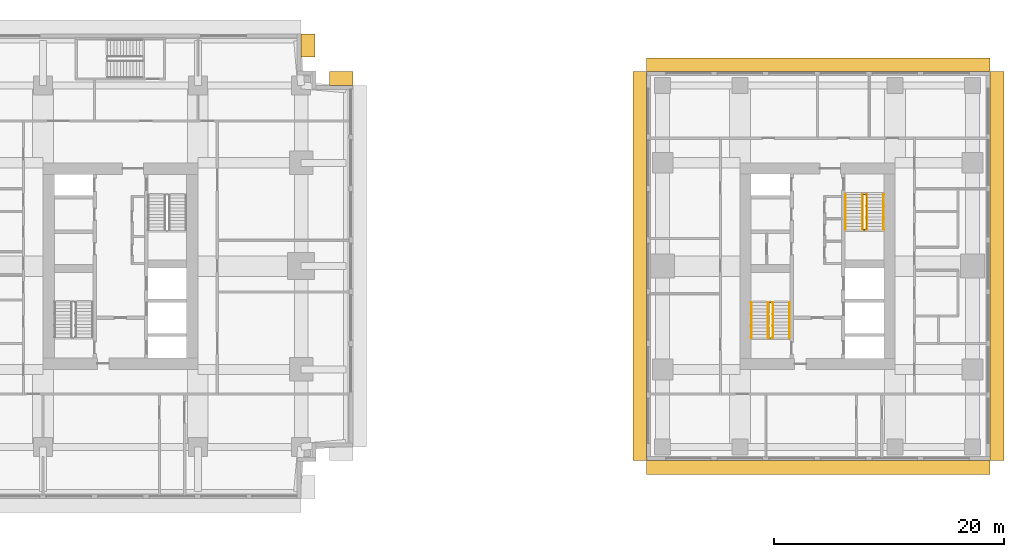
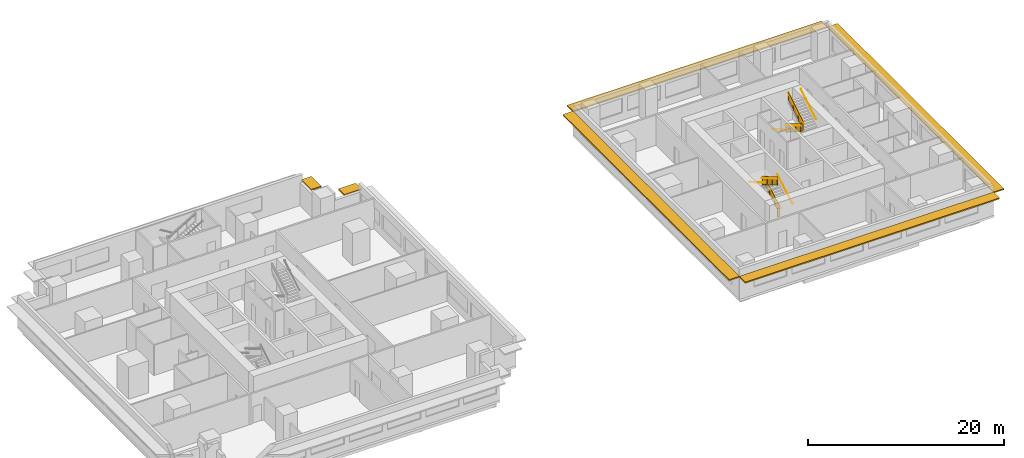
# One storey, part 11 of 11: 10 railings, 6 shading devices.
"""IFC4 building model written with IfcOpenShell, lengths in metres."""

import ifcopenshell
import ifcopenshell.guid

model = None  # the IFC model being written
_history = None  # IfcOwnerHistory: only IFC2X3 demands one
_inside = {}  # id of a spatial element -> (the spatial element, [elements in it])
_under = {}  # id of a project, library or spatial element -> (it, [spatial elements below it])
_declared = {}  # id of a project -> (the project, [libraries it declares])
_typed = {}  # id of a type object -> (the type object, [elements of that type])
_made_of = {}  # id of a material, layer set ... -> (it, [elements and type objects made of it])


def new_model(schema):
    """Start an empty IFC model of exactly this schema.

    Asked for "IFC4X3", IfcOpenShell would pick the latest addendum, in which some entities
    have other attributes; the version numbers below select the first issue.
    IFC2X3 requires an IfcOwnerHistory on every rooted entity: one is made here for all.
    """
    global model, _history
    if schema == "IFC4X3":
        model = ifcopenshell.file(schema_version=(4, 3, 0, 0))
    else:
        model = ifcopenshell.file(schema=schema)
    _inside.clear()
    _under.clear()
    _declared.clear()
    _typed.clear()
    _made_of.clear()
    _history = None
    if model.schema == "IFC2X3":
        org = make("IfcOrganization", Name="unknown")
        user = make(
            "IfcPersonAndOrganization",
            ThePerson=make("IfcPerson", FamilyName="unknown"),
            TheOrganization=org,
        )
        app = make(
            "IfcApplication",
            ApplicationDeveloper=org,
            Version="unknown",
            ApplicationFullName="unknown",
            ApplicationIdentifier="unknown",
        )
        _history = make(
            "IfcOwnerHistory",
            OwningUser=user,
            OwningApplication=app,
            ChangeAction="ADDED",
            CreationDate=0,
        )
    return model


def make(cls, **values):
    """One entity of the class cls with the attributes given. An attribute that is None is left unset."""
    return model.create_entity(
        cls, **{name: value for name, value in values.items() if value is not None}
    )


def rooted(cls, **values):
    """An entity with a GlobalId (a new one), such as an element, a storey or a relation."""
    return make(cls, GlobalId=ifcopenshell.guid.new(), OwnerHistory=_history, **values)


def si_unit(unit_type, name, prefix=None):
    """IfcSIUnit, for example si_unit("LENGTHUNIT", "METRE", prefix="MILLI")."""
    return make("IfcSIUnit", UnitType=unit_type, Prefix=prefix, Name=name)


def assignment(units):
    """IfcUnitAssignment: the units of a project."""
    return None if units is None else make("IfcUnitAssignment", Units=units)


def point(xyz):
    """IfcCartesianPoint."""
    return None if xyz is None else make("IfcCartesianPoint", Coordinates=xyz)


def direction(xyz):
    """IfcDirection."""
    return None if xyz is None else make("IfcDirection", DirectionRatios=xyz)


def frame(location, z_axis=None, x_axis=None):
    """IfcAxis2Placement3D, a coordinate frame: its origin and axes. An axis left out is left unset."""
    return make(
        "IfcAxis2Placement3D",
        Location=point(location),
        Axis=direction(z_axis),
        RefDirection=direction(x_axis),
    )


def frame_2d(location, x_axis=None):
    """IfcAxis2Placement2D, a coordinate frame in the plane: its origin and x axis."""
    return make(
        "IfcAxis2Placement2D", Location=point(location), RefDirection=direction(x_axis)
    )


def origin():
    """The frame at (0, 0, 0) with its axes left unset."""
    return frame((0.0, 0.0, 0.0))


def origin_2d():
    """The frame at (0, 0) in the plane with its x axis left unset."""
    return frame_2d((0.0, 0.0))


def place(relative_to, where):
    """IfcLocalPlacement: puts the frame where relative to a parent placement (None: the world)."""
    return make(
        "IfcLocalPlacement", PlacementRelTo=relative_to, RelativePlacement=where
    )


def context(
    kind, dimensions, precision=None, world=None, true_north=None, identifier=None
):
    """IfcGeometricRepresentationContext, for example the 3D "Model" context."""
    return make(
        "IfcGeometricRepresentationContext",
        ContextIdentifier=identifier,
        ContextType=kind,
        CoordinateSpaceDimension=dimensions,
        Precision=precision,
        WorldCoordinateSystem=world,
        TrueNorth=true_north,
    )


def subcontext(parent, identifier, kind, view, scale=None):
    """IfcGeometricRepresentationSubContext, for example "Body" below "Model"."""
    return make(
        "IfcGeometricRepresentationSubContext",
        ContextIdentifier=identifier,
        ContextType=kind,
        ParentContext=parent,
        TargetScale=scale,
        TargetView=view,
    )


def project(units=None, contexts=None):
    """IfcProject with its units and contexts."""
    return rooted(
        "IfcProject",
        Name="project",
        RepresentationContexts=contexts,
        UnitsInContext=assignment(units),
    )


def spatial(cls, under=None, at=None, **own):
    """A site, building, storey or space (cls), placed at a placement, below another one or the project."""
    s = rooted(cls, ObjectPlacement=at, **own)
    if under is not None:
        _under.setdefault(under.id(), (under, []))[1].append(s)
    return s


def polyline(points):
    """IfcPolyline through the points."""
    return make("IfcPolyline", Points=[point(p) for p in points])


def profile(cls, at=None, kind="AREA", **sizes):
    """A parametric profile (cls). Its sizes go by their IFC names, for example OverallWidth=200.0."""
    return make(cls, ProfileType=kind, Position=at, **sizes)


def rectangle(**sizes):
    """IfcRectangleProfileDef."""
    return profile("IfcRectangleProfileDef", **sizes)


def circle(**sizes):
    """IfcCircleProfileDef."""
    return profile("IfcCircleProfileDef", **sizes)


def outline(outer, holes=None, kind="AREA"):
    """IfcArbitraryClosedProfileDef: a profile drawn as a closed curve; with holes, ...WithVoids."""
    if holes is None:
        return make("IfcArbitraryClosedProfileDef", ProfileType=kind, OuterCurve=outer)
    return make(
        "IfcArbitraryProfileDefWithVoids",
        ProfileType=kind,
        OuterCurve=outer,
        InnerCurves=holes,
    )


def extrude(swept, where, along, depth):
    """IfcExtrudedAreaSolid: the profile swept, set in the frame where, extruded along a direction by depth."""
    return make(
        "IfcExtrudedAreaSolid",
        SweptArea=swept,
        Position=where,
        ExtrudedDirection=direction(along),
        Depth=depth,
    )


def shape(context_of_items, identifier, shape_type, items):
    """IfcShapeRepresentation: the items that make up one representation, for example the "Body"."""
    return make(
        "IfcShapeRepresentation",
        ContextOfItems=context_of_items,
        RepresentationIdentifier=identifier,
        RepresentationType=shape_type,
        Items=items,
    )


def material(Name=None, Category=None):
    """IfcMaterial."""
    return make("IfcMaterial", Name=Name, Category=Category)


def layer(
    of_material, thickness, ventilated=None, Name=None, Category=None, Priority=None
):
    """IfcMaterialLayer: one layer of a wall or slab, of a material (None: an air gap)."""
    return make(
        "IfcMaterialLayer",
        Material=of_material,
        LayerThickness=thickness,
        IsVentilated=ventilated,
        Name=Name,
        Category=Category,
        Priority=Priority,
    )


def layer_set(layers, Name=None):
    """IfcMaterialLayerSet."""
    return make("IfcMaterialLayerSet", MaterialLayers=layers, LayerSetName=Name)


def made_of(thing, what):
    """Note that an element or type object is made of a material, layer set ...; save() writes the relation."""
    if what is not None:
        _made_of.setdefault(what.id(), (what, []))[1].append(thing)
    return thing


def type_object(cls, material=None, **own):
    """A type object (cls), such as IfcWallType, which elements share."""
    return made_of(rooted(cls, **own), material)


def element(
    cls,
    number,
    at=None,
    inside=None,
    cuts=None,
    type_object=None,
    material=None,
    context=None,
    identifier="Body",
    shape_type=None,
    held_by="IfcProductDefinitionShape",
    body=None,
    shapes=None,
    **own,
):
    """One element of the class cls, such as IfcWall. Its Tag is "e" and its number.

    at: its placement. inside: the storey or other place that contains it. cuts: it is an
    opening in that element (IfcRelVoidsElement). A single representation is given by context,
    identifier, shape_type and body (its items); several are given by shapes. held_by: the class
    of the entity that holds the representations. save() writes the other relations.
    """
    e = rooted(cls, Tag="e%d" % number, ObjectPlacement=at, **own)
    if body is not None:
        shapes = [shape(context, identifier, shape_type, body)]
    if shapes is not None:
        e.Representation = make(held_by, Representations=shapes)
    if inside is not None:
        _inside.setdefault(inside.id(), (inside, []))[1].append(e)
    if cuts is not None:
        rooted(
            "IfcRelVoidsElement", RelatingBuildingElement=cuts, RelatedOpeningElement=e
        )
    if type_object is not None:
        _typed.setdefault(type_object.id(), (type_object, []))[1].append(e)
    return made_of(e, material)


def aggregate(whole, parts):
    """IfcRelAggregates: a whole, such as a stair, and the parts it consists of."""
    return rooted("IfcRelAggregates", RelatingObject=whole, RelatedObjects=parts)


def save(model, path):
    """Write the relations noted so far, then the file.

    IfcRelAggregates (storeys below a building ...), IfcRelContainedInSpatialStructure (elements
    in a storey), IfcRelDefinesByType, IfcRelAssociatesMaterial and IfcRelDeclares: one each for
    every whole, place, type object, material and project.
    """
    for whole, parts in _under.values():
        aggregate(whole, parts)
    for where, things in _inside.values():
        rooted(
            "IfcRelContainedInSpatialStructure",
            RelatedElements=things,
            RelatingStructure=where,
        )
    for kind, things in _typed.values():
        rooted("IfcRelDefinesByType", RelatedObjects=things, RelatingType=kind)
    for what, things in _made_of.values():
        rooted("IfcRelAssociatesMaterial", RelatedObjects=things, RelatingMaterial=what)
    for by, libraries in _declared.values():
        rooted("IfcRelDeclares", RelatingContext=by, RelatedDefinitions=libraries)
    model.write(path)


model = new_model("IFC4")

# Units and contexts
model_context = context("Model", 3, precision=1e-05, world=origin(), true_north=direction((0.0, 1.0)))
body_context = subcontext(model_context, "Body", "Model", "MODEL_VIEW")
ifc_project = project(units=[si_unit("LENGTHUNIT", "METRE"), si_unit("AREAUNIT", "SQUARE_METRE"), si_unit("VOLUMEUNIT", "CUBIC_METRE"), si_unit("PLANEANGLEUNIT", "RADIAN"), si_unit("MASSUNIT", "GRAM", prefix="KILO")], contexts=[model_context])

# Site, building, storey
site_placement = place(None, origin())
site = spatial("IfcSite", under=ifc_project, at=site_placement, CompositionType="ELEMENT")
building_placement = place(site_placement, origin())
building = spatial("IfcBuilding", under=site, at=building_placement, Name="Namib Vertical Campus", CompositionType="ELEMENT")
storey_placement = place(building_placement, frame((0.0, 0.0, 201.0)))
storey = spatial("IfcBuildingStorey", under=building, at=storey_placement, Name="L47", CompositionType="ELEMENT", Elevation=201.0)

# Railings
ifc_material_1 = material(Name="Steel handrail", Category="steel")
railing_type_1 = type_object("IfcRailingType", Name="Handrail 900", PredefinedType="HANDRAIL", material=ifc_material_1)
railing_1_placement = place(storey_placement, frame((78.550048828125, 14.0, 0.166748046875)))
element("IfcRailing", 1, at=railing_1_placement, inside=storey, type_object=railing_type_1, Name="Handrail HR1 B-S1 L47 1", PredefinedType="HANDRAIL", context=body_context, shape_type="SweptSolid", body=[
    extrude(circle(Radius=0.02392578125, at=origin_2d()), frame((0.0, 0.0, 0.8759765625), z_axis=(0.0, 0.859308565015, 0.511457515432), x_axis=(-1.0, 0.0, 0.0)), (0.0, 0.0, 1.0), 3.58447265625),
    extrude(circle(Radius=0.008056640625, at=origin_2d()), frame((0.0, 0.0, 0.8759765625), z_axis=(1.0, 0.0, 0.0), x_axis=(0.0, 0.0, 1.0)), (0.0, 0.0, 1.0), 0.050048828125),
    extrude(circle(Radius=0.008056640625, at=origin_2d()), frame((0.0, 1.026611328125, 1.48681640625), z_axis=(1.0, 0.0, 0.0), x_axis=(0.0, 0.0, 1.0)), (0.0, 0.0, 1.0), 0.050048828125),
    extrude(circle(Radius=0.008056640625, at=origin_2d()), frame((0.0, 2.053466796875, 2.09814453125), z_axis=(1.0, 0.0, 0.0), x_axis=(0.0, 0.0, 1.0)), (0.0, 0.0, 1.0), 0.050048828125),
    extrude(circle(Radius=0.008056640625, at=origin_2d()), frame((0.0, 3.080078125, 2.708984375), z_axis=(1.0, 0.0, 0.0), x_axis=(0.0, 0.0, 1.0)), (0.0, 0.0, 1.0), 0.050048828125),
])
railing_2_placement = place(storey_placement, frame((75.25, 17.080078125, 2.166748046875)))
element("IfcRailing", 2, at=railing_2_placement, inside=storey, type_object=railing_type_1, Name="Handrail HR1 B-S1 L47 2", PredefinedType="HANDRAIL", context=body_context, shape_type="SweptSolid", body=[
    extrude(circle(Radius=0.02392578125, at=origin_2d()), frame((0.0, 0.0, 0.8759765625), z_axis=(0.0, -0.859308565015, 0.511457515432), x_axis=(1.0, 0.0, 0.0)), (0.0, 0.0, 1.0), 3.58447265625),
    extrude(circle(Radius=0.008056640625, at=origin_2d()), frame((0.0, 0.0, 0.8759765625), z_axis=(-1.0, 0.0, 0.0), x_axis=(0.0, 0.0, 1.0)), (0.0, 0.0, 1.0), 0.050048828125),
    extrude(circle(Radius=0.008056640625, at=origin_2d()), frame((0.0, -1.026611328125, 1.48681640625), z_axis=(-1.0, 0.0, 0.0), x_axis=(0.0, 0.0, 1.0)), (0.0, 0.0, 1.0), 0.050048828125),
    extrude(circle(Radius=0.008056640625, at=origin_2d()), frame((0.0, -2.053466796875, 2.09814453125), z_axis=(-1.0, 0.0, 0.0), x_axis=(0.0, 0.0, 1.0)), (0.0, 0.0, 1.0), 0.050048828125),
    extrude(circle(Radius=0.008056640625, at=origin_2d()), frame((0.0, -3.080078125, 2.708984375), z_axis=(-1.0, 0.0, 0.0), x_axis=(0.0, 0.0, 1.0)), (0.0, 0.0, 1.0), 0.050048828125),
])
railing_3_placement = place(storey_placement, frame((77.10009765625, 14.0, 0.166748046875)))
element("IfcRailing", 3, at=railing_3_placement, inside=storey, type_object=railing_type_1, Name="Handrail HR1 B-S1 L47 1 at the well", PredefinedType="HANDRAIL", context=body_context, shape_type="SweptSolid", body=[
    extrude(circle(Radius=0.02392578125, at=origin_2d()), frame((0.0, 0.0, 0.8759765625), z_axis=(0.0, 0.859308565015, 0.511457515432), x_axis=(-1.0, 0.0, 0.0)), (0.0, 0.0, 1.0), 3.58447265625),
    extrude(circle(Radius=0.008056640625, at=origin_2d()), frame((0.0, 0.0, 0.8759765625), z_axis=(-1.0, 0.0, 0.0), x_axis=(0.0, 0.0, 1.0)), (0.0, 0.0, 1.0), 0.0400390625),
    extrude(circle(Radius=0.008056640625, at=origin_2d()), frame((0.0, 1.026611328125, 1.48681640625), z_axis=(-1.0, 0.0, 0.0), x_axis=(0.0, 0.0, 1.0)), (0.0, 0.0, 1.0), 0.0400390625),
    extrude(circle(Radius=0.008056640625, at=origin_2d()), frame((0.0, 2.053466796875, 2.09814453125), z_axis=(-1.0, 0.0, 0.0), x_axis=(0.0, 0.0, 1.0)), (0.0, 0.0, 1.0), 0.0400390625),
    extrude(circle(Radius=0.008056640625, at=origin_2d()), frame((0.0, 3.080078125, 2.708984375), z_axis=(-1.0, 0.0, 0.0), x_axis=(0.0, 0.0, 1.0)), (0.0, 0.0, 1.0), 0.0400390625),
])
railing_4_placement = place(storey_placement, frame((76.699951171875, 17.080078125, 2.166748046875)))
element("IfcRailing", 4, at=railing_4_placement, inside=storey, type_object=railing_type_1, Name="Handrail HR1 B-S1 L47 2 at the well", PredefinedType="HANDRAIL", context=body_context, shape_type="SweptSolid", body=[
    extrude(circle(Radius=0.02392578125, at=origin_2d()), frame((0.0, 0.0, 0.8759765625), z_axis=(0.0, -0.859308565015, 0.511457515432), x_axis=(1.0, 0.0, 0.0)), (0.0, 0.0, 1.0), 3.58447265625),
    extrude(circle(Radius=0.008056640625, at=origin_2d()), frame((0.0, 0.0, 0.8759765625), z_axis=(1.0, 0.0, 0.0), x_axis=(0.0, 0.0, 1.0)), (0.0, 0.0, 1.0), 0.0400390625),
    extrude(circle(Radius=0.008056640625, at=origin_2d()), frame((0.0, -1.026611328125, 1.48681640625), z_axis=(1.0, 0.0, 0.0), x_axis=(0.0, 0.0, 1.0)), (0.0, 0.0, 1.0), 0.0400390625),
    extrude(circle(Radius=0.008056640625, at=origin_2d()), frame((0.0, -2.053466796875, 2.09814453125), z_axis=(1.0, 0.0, 0.0), x_axis=(0.0, 0.0, 1.0)), (0.0, 0.0, 1.0), 0.0400390625),
    extrude(circle(Radius=0.008056640625, at=origin_2d()), frame((0.0, -3.080078125, 2.708984375), z_axis=(1.0, 0.0, 0.0), x_axis=(0.0, 0.0, 1.0)), (0.0, 0.0, 1.0), 0.0400390625),
])
railing_5_placement = place(storey_placement, frame((83.449951171875, 26.5, 0.166748046875)))
element("IfcRailing", 5, at=railing_5_placement, inside=storey, type_object=railing_type_1, Name="Handrail HR1 B-S2 L47 1", PredefinedType="HANDRAIL", context=body_context, shape_type="SweptSolid", body=[
    extrude(circle(Radius=0.02392578125, at=origin_2d()), frame((0.0, 0.0, 0.8759765625), z_axis=(0.0, -0.859308565015, 0.511457515432), x_axis=(1.0, 0.0, 0.0)), (0.0, 0.0, 1.0), 3.58447265625),
    extrude(circle(Radius=0.008056640625, at=origin_2d()), frame((0.0, 0.0, 0.8759765625), z_axis=(-1.0, 0.0, 0.0), x_axis=(0.0, 0.0, 1.0)), (0.0, 0.0, 1.0), 0.050048828125),
    extrude(circle(Radius=0.008056640625, at=origin_2d()), frame((0.0, -1.026611328125, 1.48681640625), z_axis=(-1.0, 0.0, 0.0), x_axis=(0.0, 0.0, 1.0)), (0.0, 0.0, 1.0), 0.050048828125),
    extrude(circle(Radius=0.008056640625, at=origin_2d()), frame((0.0, -2.053466796875, 2.09814453125), z_axis=(-1.0, 0.0, 0.0), x_axis=(0.0, 0.0, 1.0)), (0.0, 0.0, 1.0), 0.050048828125),
    extrude(circle(Radius=0.008056640625, at=origin_2d()), frame((0.0, -3.080078125, 2.708984375), z_axis=(-1.0, 0.0, 0.0), x_axis=(0.0, 0.0, 1.0)), (0.0, 0.0, 1.0), 0.050048828125),
])
railing_6_placement = place(storey_placement, frame((86.75, 23.419921875, 2.166748046875)))
element("IfcRailing", 6, at=railing_6_placement, inside=storey, type_object=railing_type_1, Name="Handrail HR1 B-S2 L47 2", PredefinedType="HANDRAIL", context=body_context, shape_type="SweptSolid", body=[
    extrude(circle(Radius=0.02392578125, at=origin_2d()), frame((0.0, 0.0, 0.8759765625), z_axis=(0.0, 0.859308565015, 0.511457515432), x_axis=(-1.0, 0.0, 0.0)), (0.0, 0.0, 1.0), 3.58447265625),
    extrude(circle(Radius=0.008056640625, at=origin_2d()), frame((0.0, 0.0, 0.8759765625), z_axis=(1.0, 0.0, 0.0), x_axis=(0.0, 0.0, 1.0)), (0.0, 0.0, 1.0), 0.050048828125),
    extrude(circle(Radius=0.008056640625, at=origin_2d()), frame((0.0, 1.026611328125, 1.48681640625), z_axis=(1.0, 0.0, 0.0), x_axis=(0.0, 0.0, 1.0)), (0.0, 0.0, 1.0), 0.050048828125),
    extrude(circle(Radius=0.008056640625, at=origin_2d()), frame((0.0, 2.053466796875, 2.09814453125), z_axis=(1.0, 0.0, 0.0), x_axis=(0.0, 0.0, 1.0)), (0.0, 0.0, 1.0), 0.050048828125),
    extrude(circle(Radius=0.008056640625, at=origin_2d()), frame((0.0, 3.080078125, 2.708984375), z_axis=(1.0, 0.0, 0.0), x_axis=(0.0, 0.0, 1.0)), (0.0, 0.0, 1.0), 0.050048828125),
])
railing_7_placement = place(storey_placement, frame((84.89990234375, 26.5, 0.166748046875)))
element("IfcRailing", 7, at=railing_7_placement, inside=storey, type_object=railing_type_1, Name="Handrail HR1 B-S2 L47 1 at the well", PredefinedType="HANDRAIL", context=body_context, shape_type="SweptSolid", body=[
    extrude(circle(Radius=0.02392578125, at=origin_2d()), frame((0.0, 0.0, 0.8759765625), z_axis=(0.0, -0.859308565015, 0.511457515432), x_axis=(1.0, 0.0, 0.0)), (0.0, 0.0, 1.0), 3.58447265625),
    extrude(circle(Radius=0.008056640625, at=origin_2d()), frame((0.0, 0.0, 0.8759765625), z_axis=(1.0, 0.0, 0.0), x_axis=(0.0, 0.0, 1.0)), (0.0, 0.0, 1.0), 0.0400390625),
    extrude(circle(Radius=0.008056640625, at=origin_2d()), frame((0.0, -1.026611328125, 1.48681640625), z_axis=(1.0, 0.0, 0.0), x_axis=(0.0, 0.0, 1.0)), (0.0, 0.0, 1.0), 0.0400390625),
    extrude(circle(Radius=0.008056640625, at=origin_2d()), frame((0.0, -2.053466796875, 2.09814453125), z_axis=(1.0, 0.0, 0.0), x_axis=(0.0, 0.0, 1.0)), (0.0, 0.0, 1.0), 0.0400390625),
    extrude(circle(Radius=0.008056640625, at=origin_2d()), frame((0.0, -3.080078125, 2.708984375), z_axis=(1.0, 0.0, 0.0), x_axis=(0.0, 0.0, 1.0)), (0.0, 0.0, 1.0), 0.0400390625),
])
railing_8_placement = place(storey_placement, frame((85.300048828125, 23.419921875, 2.166748046875)))
element("IfcRailing", 8, at=railing_8_placement, inside=storey, type_object=railing_type_1, Name="Handrail HR1 B-S2 L47 2 at the well", PredefinedType="HANDRAIL", context=body_context, shape_type="SweptSolid", body=[
    extrude(circle(Radius=0.02392578125, at=origin_2d()), frame((0.0, 0.0, 0.8759765625), z_axis=(0.0, 0.859308565015, 0.511457515432), x_axis=(-1.0, 0.0, 0.0)), (0.0, 0.0, 1.0), 3.58447265625),
    extrude(circle(Radius=0.008056640625, at=origin_2d()), frame((0.0, 0.0, 0.8759765625), z_axis=(-1.0, 0.0, 0.0), x_axis=(0.0, 0.0, 1.0)), (0.0, 0.0, 1.0), 0.0400390625),
    extrude(circle(Radius=0.008056640625, at=origin_2d()), frame((0.0, 1.026611328125, 1.48681640625), z_axis=(-1.0, 0.0, 0.0), x_axis=(0.0, 0.0, 1.0)), (0.0, 0.0, 1.0), 0.0400390625),
    extrude(circle(Radius=0.008056640625, at=origin_2d()), frame((0.0, 2.053466796875, 2.09814453125), z_axis=(-1.0, 0.0, 0.0), x_axis=(0.0, 0.0, 1.0)), (0.0, 0.0, 1.0), 0.0400390625),
    extrude(circle(Radius=0.008056640625, at=origin_2d()), frame((0.0, 3.080078125, 2.708984375), z_axis=(-1.0, 0.0, 0.0), x_axis=(0.0, 0.0, 1.0)), (0.0, 0.0, 1.0), 0.0400390625),
])
ifc_material_2 = material(Name="Steel balustrade", Category="steel")
railing_type_2 = type_object("IfcRailingType", Name="Stair guard 1100", PredefinedType="GUARDRAIL", material=ifc_material_2)
railing_9_placement = place(storey_placement, frame((76.75, 14.0, 0.0)))
element("IfcRailing", 9, at=railing_9_placement, inside=storey, type_object=railing_type_2, Name="Stair guard GR1 B-S1 L47", PredefinedType="GUARDRAIL", context=body_context, shape_type="SweptSolid", body=[
    extrude(circle(Radius=0.02392578125, at=origin_2d()), frame((0.0, 0.0, 1.076171875), z_axis=(1.0, 0.0, 0.0), x_axis=(0.0, 1.0, 0.0)), (0.0, 0.0, 1.0), 0.300048828125),
    extrude(outline(polyline([(0.02099609375, 0.050048828125), (0.279052734375, 0.050048828125), (0.279052734375, 1.052001953125), (0.02099609375, 1.052001953125), (0.02099609375, 0.050048828125)])), frame((0.0, 0.010009765625, 0.0), z_axis=(0.0, -1.0, 0.0), x_axis=(1.0, 0.0, 0.0)), (0.0, 0.0, 1.0), 0.02001953125),
    extrude(circle(Radius=0.02392578125, at=origin_2d()), frame((0.300048828125, 0.0, 1.076171875), z_axis=(0.0, 0.0, 1.0), x_axis=(1.0, 0.0, 0.0)), (0.0, 0.0, 1.0), 0.166748046875),
    extrude(circle(Radius=0.02392578125, at=origin_2d()), frame((0.300048828125, 0.0, 1.24267578125), z_axis=(0.0, 0.859308565015, 0.511457515432), x_axis=(-1.0, 0.0, 0.0)), (0.0, 0.0, 1.0), 3.58447265625),
    extrude(outline(polyline([(0.02099609375, 0.0625), (3.05908203125, 1.870849609375), (3.05908203125, 2.872802734375), (0.02099609375, 1.064453125), (0.02099609375, 0.0625)])), frame((0.2900390625, 0.0, 0.166748046875), z_axis=(1.0, 0.0, 0.0), x_axis=(0.0, 1.0, 0.0)), (0.0, 0.0, 1.0), 0.02001953125),
    extrude(circle(Radius=0.02392578125, at=origin_2d()), frame((0.300048828125, 3.080078125, 3.076171875), z_axis=(-1.0, 0.0, 0.0), x_axis=(0.0, -1.0, 0.0)), (0.0, 0.0, 1.0), 0.300048828125),
    extrude(outline(polyline([(0.02099609375, 0.050048828125), (0.279052734375, 0.050048828125), (0.279052734375, 1.052001953125), (0.02099609375, 1.052001953125), (0.02099609375, 0.050048828125)])), frame((0.300048828125, 3.070068359375, 2.0), z_axis=(0.0, 1.0, 0.0), x_axis=(-1.0, 0.0, 0.0)), (0.0, 0.0, 1.0), 0.02001953125),
    extrude(circle(Radius=0.02392578125, at=origin_2d()), frame((0.0, 3.080078125, 3.076171875), z_axis=(0.0, 0.0, 1.0), x_axis=(1.0, 0.0, 0.0)), (0.0, 0.0, 1.0), 0.166748046875),
    extrude(circle(Radius=0.02392578125, at=origin_2d()), frame((0.0, 3.080078125, 3.24267578125), z_axis=(0.0, -0.859308565015, 0.511457515432), x_axis=(1.0, 0.0, 0.0)), (0.0, 0.0, 1.0), 3.58447265625),
    extrude(outline(polyline([(0.02099609375, 0.0625), (3.05908203125, 1.870849609375), (3.05908203125, 2.872802734375), (0.02099609375, 1.064453125), (0.02099609375, 0.0625)])), frame((0.010009765625, 3.080078125, 2.166748046875), z_axis=(-1.0, 0.0, 0.0), x_axis=(0.0, -1.0, 0.0)), (0.0, 0.0, 1.0), 0.02001953125),
    extrude(circle(Radius=0.02392578125, at=origin_2d()), frame((0.0, 0.0, 5.076171875), z_axis=(0.0, -1.0, 0.0), x_axis=(1.0, 0.0, 0.0)), (0.0, 0.0, 1.0), 0.050048828125),
    extrude(outline(polyline([(0.02099609375, 0.050048828125), (0.029052734375, 0.050048828125), (0.029052734375, 1.052001953125), (0.02099609375, 1.052001953125), (0.02099609375, 0.050048828125)])), frame((0.010009765625, 0.0, 4.0), z_axis=(-1.0, 0.0, 0.0), x_axis=(0.0, -1.0, 0.0)), (0.0, 0.0, 1.0), 0.02001953125),
    extrude(circle(Radius=0.02099609375, at=origin_2d()), origin(), (0.0, 0.0, 1.0), 1.052001953125),
    extrude(circle(Radius=0.02099609375, at=origin_2d()), frame((0.300048828125, 0.0, 0.166748046875)), (0.0, 0.0, 1.0), 1.052001953125),
    extrude(circle(Radius=0.02099609375, at=origin_2d()), frame((0.300048828125, 1.026611328125, 0.666748046875)), (0.0, 0.0, 1.0), 1.1630859375),
    extrude(circle(Radius=0.02099609375, at=origin_2d()), frame((0.300048828125, 2.053466796875, 1.33349609375)), (0.0, 0.0, 1.0), 1.107421875),
    extrude(circle(Radius=0.02099609375, at=origin_2d()), frame((0.300048828125, 3.080078125, 2.0)), (0.0, 0.0, 1.0), 1.052001953125),
    extrude(circle(Radius=0.02099609375, at=origin_2d()), frame((0.0, 3.080078125, 2.166748046875)), (0.0, 0.0, 1.0), 1.052001953125),
    extrude(circle(Radius=0.02099609375, at=origin_2d()), frame((0.0, 2.053466796875, 2.666748046875)), (0.0, 0.0, 1.0), 1.1630859375),
    extrude(circle(Radius=0.02099609375, at=origin_2d()), frame((0.0, 1.026611328125, 3.33349609375)), (0.0, 0.0, 1.0), 1.107421875),
    extrude(circle(Radius=0.02099609375, at=origin_2d()), frame((0.0, 0.0, 4.0)), (0.0, 0.0, 1.0), 1.052001953125),
    extrude(circle(Radius=0.02099609375, at=origin_2d()), frame((0.0, -0.050048828125, 4.0)), (0.0, 0.0, 1.0), 1.052001953125),
])
railing_10_placement = place(storey_placement, frame((85.25, 26.5, 0.0)))
element("IfcRailing", 10, at=railing_10_placement, inside=storey, type_object=railing_type_2, Name="Stair guard GR1 B-S2 L47", PredefinedType="GUARDRAIL", context=body_context, shape_type="SweptSolid", body=[
    extrude(circle(Radius=0.02392578125, at=origin_2d()), frame((0.0, 0.0, 1.076171875), z_axis=(-1.0, 0.0, 0.0), x_axis=(0.0, -1.0, 0.0)), (0.0, 0.0, 1.0), 0.300048828125),
    extrude(outline(polyline([(0.02099609375, 0.050048828125), (0.279052734375, 0.050048828125), (0.279052734375, 1.052001953125), (0.02099609375, 1.052001953125), (0.02099609375, 0.050048828125)])), frame((0.0, -0.010009765625, 0.0), z_axis=(0.0, 1.0, 0.0), x_axis=(-1.0, 0.0, 0.0)), (0.0, 0.0, 1.0), 0.02001953125),
    extrude(circle(Radius=0.02392578125, at=origin_2d()), frame((-0.300048828125, 0.0, 1.076171875), z_axis=(0.0, 0.0, 1.0), x_axis=(1.0, 0.0, 0.0)), (0.0, 0.0, 1.0), 0.166748046875),
    extrude(circle(Radius=0.02392578125, at=origin_2d()), frame((-0.300048828125, 0.0, 1.24267578125), z_axis=(0.0, -0.859308565015, 0.511457515432), x_axis=(1.0, 0.0, 0.0)), (0.0, 0.0, 1.0), 3.58447265625),
    extrude(outline(polyline([(0.02099609375, 0.0625), (3.05908203125, 1.870849609375), (3.05908203125, 2.872802734375), (0.02099609375, 1.064453125), (0.02099609375, 0.0625)])), frame((-0.2900390625, 0.0, 0.166748046875), z_axis=(-1.0, 0.0, 0.0), x_axis=(0.0, -1.0, 0.0)), (0.0, 0.0, 1.0), 0.02001953125),
    extrude(circle(Radius=0.02392578125, at=origin_2d()), frame((-0.300048828125, -3.080078125, 3.076171875), z_axis=(1.0, 0.0, 0.0), x_axis=(0.0, 1.0, 0.0)), (0.0, 0.0, 1.0), 0.300048828125),
    extrude(outline(polyline([(0.02099609375, 0.050048828125), (0.279052734375, 0.050048828125), (0.279052734375, 1.052001953125), (0.02099609375, 1.052001953125), (0.02099609375, 0.050048828125)])), frame((-0.300048828125, -3.070068359375, 2.0), z_axis=(0.0, -1.0, 0.0), x_axis=(1.0, 0.0, 0.0)), (0.0, 0.0, 1.0), 0.02001953125),
    extrude(circle(Radius=0.02392578125, at=origin_2d()), frame((0.0, -3.080078125, 3.076171875), z_axis=(0.0, 0.0, 1.0), x_axis=(1.0, 0.0, 0.0)), (0.0, 0.0, 1.0), 0.166748046875),
    extrude(circle(Radius=0.02392578125, at=origin_2d()), frame((0.0, -3.080078125, 3.24267578125), z_axis=(0.0, 0.859308565015, 0.511457515432), x_axis=(-1.0, 0.0, 0.0)), (0.0, 0.0, 1.0), 3.58447265625),
    extrude(outline(polyline([(0.02099609375, 0.0625), (3.05908203125, 1.870849609375), (3.05908203125, 2.872802734375), (0.02099609375, 1.064453125), (0.02099609375, 0.0625)])), frame((-0.010009765625, -3.080078125, 2.166748046875), z_axis=(1.0, 0.0, 0.0), x_axis=(0.0, 1.0, 0.0)), (0.0, 0.0, 1.0), 0.02001953125),
    extrude(circle(Radius=0.02392578125, at=origin_2d()), frame((0.0, 0.0, 5.076171875), z_axis=(0.0, 1.0, 0.0), x_axis=(-1.0, 0.0, 0.0)), (0.0, 0.0, 1.0), 0.050048828125),
    extrude(outline(polyline([(0.02099609375, 0.050048828125), (0.029052734375, 0.050048828125), (0.029052734375, 1.052001953125), (0.02099609375, 1.052001953125), (0.02099609375, 0.050048828125)])), frame((-0.010009765625, 0.0, 4.0), z_axis=(1.0, 0.0, 0.0), x_axis=(0.0, 1.0, 0.0)), (0.0, 0.0, 1.0), 0.02001953125),
    extrude(circle(Radius=0.02099609375, at=origin_2d()), origin(), (0.0, 0.0, 1.0), 1.052001953125),
    extrude(circle(Radius=0.02099609375, at=origin_2d()), frame((-0.300048828125, 0.0, 0.166748046875)), (0.0, 0.0, 1.0), 1.052001953125),
    extrude(circle(Radius=0.02099609375, at=origin_2d()), frame((-0.300048828125, -1.026611328125, 0.666748046875)), (0.0, 0.0, 1.0), 1.1630859375),
    extrude(circle(Radius=0.02099609375, at=origin_2d()), frame((-0.300048828125, -2.053466796875, 1.33349609375)), (0.0, 0.0, 1.0), 1.107421875),
    extrude(circle(Radius=0.02099609375, at=origin_2d()), frame((-0.300048828125, -3.080078125, 2.0)), (0.0, 0.0, 1.0), 1.052001953125),
    extrude(circle(Radius=0.02099609375, at=origin_2d()), frame((0.0, -3.080078125, 2.166748046875)), (0.0, 0.0, 1.0), 1.052001953125),
    extrude(circle(Radius=0.02099609375, at=origin_2d()), frame((0.0, -2.053466796875, 2.666748046875)), (0.0, 0.0, 1.0), 1.1630859375),
    extrude(circle(Radius=0.02099609375, at=origin_2d()), frame((0.0, -1.026611328125, 3.33349609375)), (0.0, 0.0, 1.0), 1.107421875),
    extrude(circle(Radius=0.02099609375, at=origin_2d()), frame((0.0, 0.0, 4.0)), (0.0, 0.0, 1.0), 1.052001953125),
    extrude(circle(Radius=0.02099609375, at=origin_2d()), frame((0.0, 0.050048828125, 4.0)), (0.0, 0.0, 1.0), 1.052001953125),
])

# Shading devices
ifc_material_3 = material(Name="Concrete C40/50 precast", Category="concrete")
ifc_layer = layer(ifc_material_3, 0.14990234375)
ifc_layer_set = layer_set([ifc_layer], Name="Concrete C40/50 precast")
shading_device_type = type_object("IfcShadingDeviceType", Name="Sunshade hood 1200", PredefinedType="SHUTTER", material=ifc_layer_set)
for number, where, z_axis, x_axis, name in (
    (11, (39.487548828125, 36.60009765625, 2.75), (0.0, 0.0, 1.0), (-1.0, 0.0, 0.0), "Sunshade SH2 L47 7"),
    (12, (36.60009765625, 39.487548828125, 2.75), (0.0, 0.0, 1.0), (0.0, 1.0, 0.0), "Sunshade SH2 L47 10"),
):
    element("IfcShadingDevice", number, at=place(storey_placement, frame(where, z_axis=z_axis, x_axis=x_axis)), inside=storey, type_object=shading_device_type, Name=name, PredefinedType="SHUTTER", context=body_context, shape_type="SweptSolid", body=[
        extrude(rectangle(XDim=2.02490234375, YDim=1.199951171875, at=origin_2d()), origin(), (0.0, 0.0, 1.0), 0.14990234375),
    ])
shading_device_1_placement = place(storey_placement, frame((81.074951171875, 2.699951171875, 2.75), z_axis=(0.0, 0.0, 1.0), x_axis=(1.0, 0.0, 0.0)))
element("IfcShadingDevice", 13, at=shading_device_1_placement, inside=storey, type_object=shading_device_type, Name="Sunshade SH2 L47 1", PredefinedType="SHUTTER", context=body_context, shape_type="SweptSolid", body=[
    extrude(rectangle(XDim=29.949951171875, YDim=1.199951171875, at=origin_2d()), origin(), (0.0, 0.0, 1.0), 0.14990234375),
])
shading_device_2_placement = place(storey_placement, frame((96.64990234375, 20.25, 2.75), z_axis=(0.0, 0.0, 1.0), x_axis=(0.0, 1.0, 0.0)))
element("IfcShadingDevice", 14, at=shading_device_2_placement, inside=storey, type_object=shading_device_type, Name="Sunshade SH2 L47 2", PredefinedType="SHUTTER", context=body_context, shape_type="SweptSolid", body=[
    extrude(rectangle(XDim=33.89990234375, YDim=1.199951171875, at=origin_2d()), origin(), (0.0, 0.0, 1.0), 0.14990234375),
])
shading_device_3_placement = place(storey_placement, frame((81.074951171875, 37.800048828125, 2.75), z_axis=(0.0, 0.0, 1.0), x_axis=(-1.0, 0.0, 0.0)))
element("IfcShadingDevice", 15, at=shading_device_3_placement, inside=storey, type_object=shading_device_type, Name="Sunshade SH2 L47 3", PredefinedType="SHUTTER", context=body_context, shape_type="SweptSolid", body=[
    extrude(rectangle(XDim=29.949951171875, YDim=1.199951171875, at=origin_2d()), origin(), (0.0, 0.0, 1.0), 0.14990234375),
])
shading_device_4_placement = place(storey_placement, frame((65.5, 20.25, 2.75), z_axis=(0.0, 0.0, 1.0), x_axis=(0.0, -1.0, 0.0)))
element("IfcShadingDevice", 16, at=shading_device_4_placement, inside=storey, type_object=shading_device_type, Name="Sunshade SH2 L47 4", PredefinedType="SHUTTER", context=body_context, shape_type="SweptSolid", body=[
    extrude(rectangle(XDim=33.89990234375, YDim=1.199951171875, at=origin_2d()), origin(), (0.0, 0.0, 1.0), 0.14990234375),
])

save(model, "model.ifc")
